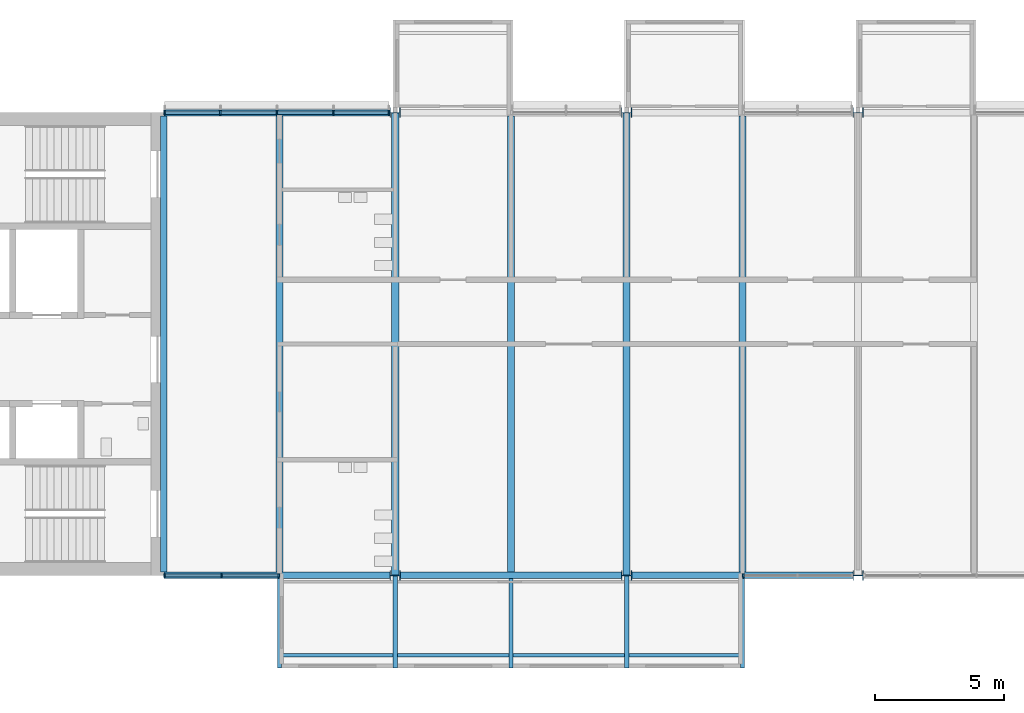
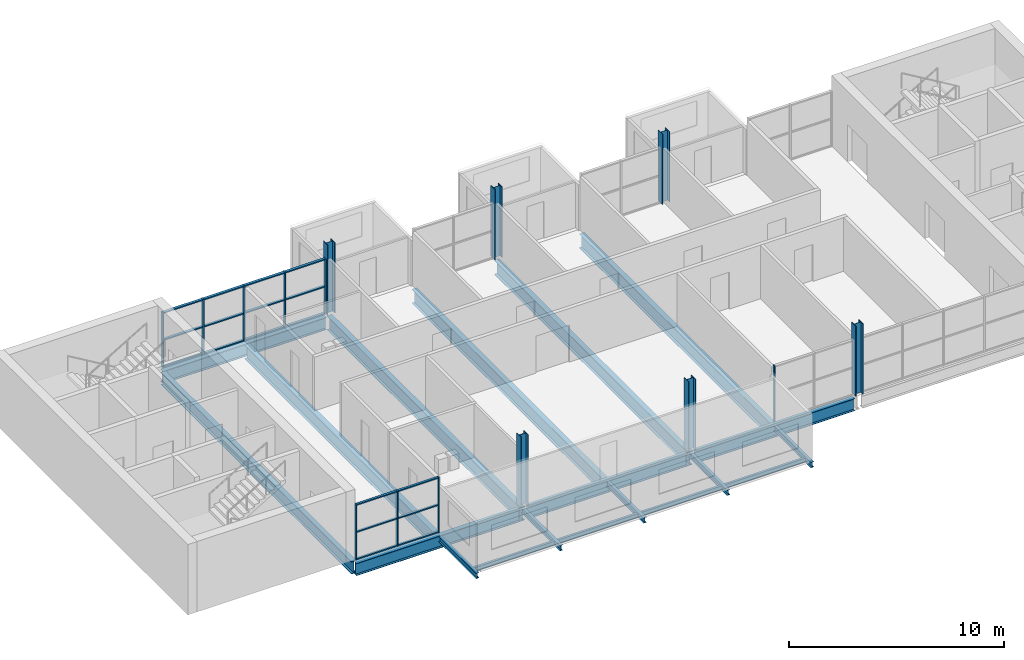
# One storey, part 1 of 11: 27 members, 19 beams, 6 columns, 3 elements without a shape of their own.
"""IFC4 building model written with IfcOpenShell, lengths in metres."""

from ifc_helpers import new_model, si_unit, direction, frame, origin, origin_2d, place, context, subcontext, project, spatial, rectangle, i_section, extrude, material, layer, layer_set, material_profile, profile_set, type_object, element, aggregate, save


model = new_model("IFC4")

# Units and contexts
model_context = context("Model", 3, precision=1e-05, world=origin(), true_north=direction((0.0, 1.0)))
body_context = subcontext(model_context, "Body", "Model", "MODEL_VIEW")
ifc_project = project(units=[si_unit("LENGTHUNIT", "METRE"), si_unit("AREAUNIT", "SQUARE_METRE"), si_unit("VOLUMEUNIT", "CUBIC_METRE"), si_unit("PLANEANGLEUNIT", "RADIAN"), si_unit("MASSUNIT", "GRAM", prefix="KILO")], contexts=[model_context])

# Site, building, storey
site_placement = place(None, origin())
site = spatial("IfcSite", under=ifc_project, at=site_placement, CompositionType="ELEMENT")
building_placement = place(site_placement, origin())
building = spatial("IfcBuilding", under=site, at=building_placement, Name="Corbel Yard City Hall", CompositionType="ELEMENT")
storey_placement = place(building_placement, frame((0.0, 0.0, 35.199951171875)))
storey = spatial("IfcBuildingStorey", under=building, at=storey_placement, Name="L08", CompositionType="ELEMENT", Elevation=35.199951171875)

# Columns
ifc_material_1 = material(Name="Steel Grade 350", Category="steel")
ifc_material_profile_1 = material_profile(ifc_material_1, i_section(OverallWidth=0.39990234375, OverallDepth=0.4140625, WebThickness=0.02490234375, FlangeThickness=0.031982421875, at=origin_2d()), Name="400WC270")
ifc_profile_set_1 = profile_set([ifc_material_profile_1], Name="Steel Grade 350")
column_type = type_object("IfcColumnType", Name="Column 400WC270", PredefinedType="COLUMN", material=ifc_profile_set_1)
for number, where, z_axis, x_axis, name in (
    (1, (18.0, 99.0, 0.0), (0.0, 0.0, 1.0), (0.0, 1.0, 0.0), "Column 400WC270 L/3 L08"),
    (2, (18.0, 117.0, 0.0), (0.0, 0.0, 1.0), (0.0, 1.0, 0.0), "Column 400WC270 N/3 L08"),
    (3, (27.0, 99.0, 0.0), (0.0, 0.0, 1.0), (0.0, 1.0, 0.0), "Column 400WC270 L/4 L08"),
    (4, (27.0, 117.0, 0.0), (0.0, 0.0, 1.0), (0.0, 1.0, 0.0), "Column 400WC270 N/4 L08"),
    (5, (36.0, 99.0, 0.0), (0.0, 0.0, 1.0), (0.0, 1.0, 0.0), "Column 400WC270 L/5 L08"),
    (6, (36.0, 117.0, 0.0), (0.0, 0.0, 1.0), (0.0, 1.0, 0.0), "Column 400WC270 N/5 L08"),
):
    element("IfcColumn", number, at=place(storey_placement, frame(where, z_axis=z_axis, x_axis=x_axis)), inside=storey, type_object=column_type, Name=name, PredefinedType="COLUMN", context=body_context, shape_type="SweptSolid", body=[
        extrude(i_section(OverallWidth=0.39990234375, OverallDepth=0.4140625, WebThickness=0.02490234375, FlangeThickness=0.031982421875, at=origin_2d()), origin(), (0.0, 0.0, 1.0), 4.0),
    ])

# Beams
ifc_material_profile_2 = material_profile(ifc_material_1, i_section(OverallWidth=0.25, OverallDepth=0.699951171875, WebThickness=0.010009765625, FlangeThickness=0.02001953125, at=origin_2d()), Name="700WB130")
ifc_profile_set_2 = profile_set([ifc_material_profile_2], Name="Steel Grade 350")
beam_type_1 = type_object("IfcBeamType", Name="Edge beam 700WB130", PredefinedType="BEAM", material=ifc_profile_set_2)
beam_1_placement = place(storey_placement, frame((9.0, 99.0, -0.5), z_axis=(1.0, 0.0, 0.0), x_axis=(0.0, 1.0, 0.0)))
element("IfcBeam", 7, at=beam_1_placement, inside=storey, type_object=beam_type_1, Name="Edge beam 700WB130 EB9 L08tower", PredefinedType="BEAM", context=body_context, shape_type="SweptSolid", body=[
    extrude(i_section(OverallWidth=0.25, OverallDepth=0.699951171875, WebThickness=0.010009765625, FlangeThickness=0.02001953125, at=origin_2d()), origin(), (0.0, 0.0, 1.0), 8.79296875),
])
for number, where, z_axis, x_axis, name in (
    (8, (18.20703125, 99.0, -0.5), (1.0, 0.0, 0.0), (0.0, 1.0, 0.0), "Edge beam 700WB130 EB9 L08tower"),
    (9, (27.20703125, 99.0, -0.5), (1.0, 0.0, 0.0), (0.0, 1.0, 0.0), "Edge beam 700WB130 EB9 L08tower"),
):
    element("IfcBeam", number, at=place(storey_placement, frame(where, z_axis=z_axis, x_axis=x_axis)), inside=storey, type_object=beam_type_1, Name=name, PredefinedType="BEAM", context=body_context, shape_type="SweptSolid", body=[
        extrude(i_section(OverallWidth=0.25, OverallDepth=0.699951171875, WebThickness=0.010009765625, FlangeThickness=0.02001953125, at=origin_2d()), origin(), (0.0, 0.0, 1.0), 8.5859375),
    ])
beam_2_placement = place(storey_placement, frame((9.0, 117.0, -0.5), z_axis=(1.0, 0.0, 0.0), x_axis=(0.0, 1.0, 0.0)))
element("IfcBeam", 10, at=beam_2_placement, inside=storey, type_object=beam_type_1, Name="Edge beam 700WB130 EB9 L08tower", PredefinedType="BEAM", context=body_context, shape_type="SweptSolid", body=[
    extrude(i_section(OverallWidth=0.25, OverallDepth=0.699951171875, WebThickness=0.010009765625, FlangeThickness=0.02001953125, at=origin_2d()), origin(), (0.0, 0.0, 1.0), 8.79296875),
])
ifc_material_profile_3 = material_profile(ifc_material_1, i_section(OverallWidth=0.27490234375, OverallDepth=0.800048828125, WebThickness=0.010009765625, FlangeThickness=0.02001953125, at=origin_2d()), Name="800WB146")
ifc_profile_set_3 = profile_set([ifc_material_profile_3], Name="Steel Grade 350")
beam_type_2 = type_object("IfcBeamType", Name="Long-span beam 800WB146", PredefinedType="BEAM", material=ifc_profile_set_3)
for number, where, z_axis, x_axis, name in (
    (11, (18.0, 99.012451171875, -0.550048828125), (0.0, 1.0, 0.0), (-1.0, 0.0, 0.0), "Long-span beam 800WB146 SB8 L08tower"),
    (12, (27.0, 99.012451171875, -0.550048828125), (0.0, 1.0, 0.0), (-1.0, 0.0, 0.0), "Long-span beam 800WB146 SB8 L08tower"),
):
    element("IfcBeam", number, at=place(storey_placement, frame(where, z_axis=z_axis, x_axis=x_axis)), inside=storey, type_object=beam_type_2, Name=name, PredefinedType="BEAM", context=body_context, shape_type="SweptSolid", body=[
        extrude(i_section(OverallWidth=0.27490234375, OverallDepth=0.800048828125, WebThickness=0.010009765625, FlangeThickness=0.02001953125, at=origin_2d()), origin(), (0.0, 0.0, 1.0), 17.97509765625),
    ])
ifc_material_profile_4 = material_profile(ifc_material_1, i_section(OverallWidth=0.25, OverallDepth=0.7099609375, WebThickness=0.010009765625, FlangeThickness=0.02490234375, at=origin_2d()), Name="700WB150")
ifc_profile_set_4 = profile_set([ifc_material_profile_4], Name="Steel Grade 350")
beam_type_3 = type_object("IfcBeamType", Name="Long-span edge beam 700WB150", PredefinedType="BEAM", material=ifc_profile_set_4)
beam_3_placement = place(storey_placement, frame((9.0, 99.125, -0.5048828125), z_axis=(0.0, 1.0, 0.0), x_axis=(-1.0, 0.0, 0.0)))
element("IfcBeam", 13, at=beam_3_placement, inside=storey, type_object=beam_type_3, Name="Long-span edge beam 700WB150 EB8 L08tower", PredefinedType="BEAM", context=body_context, shape_type="SweptSolid", body=[
    extrude(i_section(OverallWidth=0.25, OverallDepth=0.7099609375, WebThickness=0.010009765625, FlangeThickness=0.02490234375, at=origin_2d()), origin(), (0.0, 0.0, 1.0), 17.75),
])
ifc_material_profile_5 = material_profile(ifc_material_1, i_section(OverallWidth=0.27490234375, OverallDepth=0.800048828125, WebThickness=0.010009765625, FlangeThickness=0.02001953125, at=origin_2d()), Name="800WB146")
ifc_profile_set_5 = profile_set([ifc_material_profile_5], Name="Steel Grade 350")
beam_type_4 = type_object("IfcBeamType", Name="Long-span secondary beam 800WB146", PredefinedType="JOIST", material=ifc_profile_set_5)
for number, where, z_axis, x_axis, name in (
    (14, (13.5, 99.125, -0.550048828125), (0.0, 1.0, 0.0), (-1.0, 0.0, 0.0), "Long-span secondary beam 800WB146 SB7 L08tower"),
    (15, (22.5, 99.125, -0.550048828125), (0.0, 1.0, 0.0), (-1.0, 0.0, 0.0), "Long-span secondary beam 800WB146 SB7 L08tower"),
    (16, (31.5, 99.125, -0.550048828125), (0.0, 1.0, 0.0), (-1.0, 0.0, 0.0), "Long-span secondary beam 800WB146 SB7 L08tower"),
):
    element("IfcBeam", number, at=place(storey_placement, frame(where, z_axis=z_axis, x_axis=x_axis)), inside=storey, type_object=beam_type_4, Name=name, PredefinedType="JOIST", context=body_context, shape_type="SweptSolid", body=[
        extrude(i_section(OverallWidth=0.27490234375, OverallDepth=0.800048828125, WebThickness=0.010009765625, FlangeThickness=0.02001953125, at=origin_2d()), origin(), (0.0, 0.0, 1.0), 17.75),
    ])

# Curtain wall, members
ifc_material_2 = material(Name="Aluminium extrusion", Category="aluminium")
ifc_layer_1 = layer(ifc_material_2, 0.14990234375)
ifc_layer_set_1 = layer_set([ifc_layer_1], Name="Aluminium extrusion")
curtain_wall_type_1 = type_object("IfcCurtainWallType", Name="CW2", PredefinedType="USERDEFINED", material=ifc_layer_set_1)
curtain_wall_1_placement = place(storey_placement, origin())
curtain_wall_1 = element("IfcCurtainWall", 17, at=curtain_wall_1_placement, inside=storey, type_object=curtain_wall_type_1, Name="Curtain wall CW2 L08", ObjectType="CURTAIN WALL", PredefinedType="USERDEFINED")
ifc_material_profile_6 = material_profile(ifc_material_2, rectangle(XDim=0.14990234375, YDim=0.06494140625, at=origin_2d()), Name="150x65")
ifc_profile_set_6 = profile_set([ifc_material_profile_6], Name="Aluminium extrusion")
member_type_1 = type_object("IfcMemberType", Name="ML2", PredefinedType="MULLION", material=ifc_profile_set_6)
member_1_placement = place(storey_placement, frame((9.032470703125, 99.0, 0.0), z_axis=(0.0, 0.0, 1.0), x_axis=(0.0, 1.0, 0.0)))
member_1 = element("IfcMember", 18, at=member_1_placement, type_object=member_type_1, Name="CW2 mullion 1", PredefinedType="MULLION", context=body_context, shape_type="SweptSolid", body=[
    extrude(rectangle(XDim=0.14990234375, YDim=0.06494140625, at=origin_2d()), origin(), (0.0, 0.0, 1.0), 3.150146484375),
])
member_2_placement = place(storey_placement, frame((11.25, 99.0, 0.0), z_axis=(0.0, 0.0, 1.0), x_axis=(0.0, 1.0, 0.0)))
member_2 = element("IfcMember", 19, at=member_2_placement, type_object=member_type_1, Name="CW2 mullion 2", PredefinedType="MULLION", context=body_context, shape_type="SweptSolid", body=[
    extrude(rectangle(XDim=0.14990234375, YDim=0.06494140625, at=origin_2d()), origin(), (0.0, 0.0, 1.0), 3.150146484375),
])
member_3_placement = place(storey_placement, frame((13.467529296875, 99.0, 0.0), z_axis=(0.0, 0.0, 1.0), x_axis=(0.0, 1.0, 0.0)))
member_3 = element("IfcMember", 20, at=member_3_placement, type_object=member_type_1, Name="CW2 mullion 3", PredefinedType="MULLION", context=body_context, shape_type="SweptSolid", body=[
    extrude(rectangle(XDim=0.14990234375, YDim=0.06494140625, at=origin_2d()), origin(), (0.0, 0.0, 1.0), 3.150146484375),
])

# Curtain wall, member
curtain_wall_2_placement = place(storey_placement, origin())
curtain_wall_2 = element("IfcCurtainWall", 21, at=curtain_wall_2_placement, inside=storey, type_object=curtain_wall_type_1, Name="Curtain wall CW2 L08", ObjectType="CURTAIN WALL", PredefinedType="USERDEFINED")
member_4_placement = place(storey_placement, frame((31.532470703125, 99.0, 0.0), z_axis=(0.0, 0.0, 1.0), x_axis=(0.0, 1.0, 0.0)))
member_4 = element("IfcMember", 22, at=member_4_placement, type_object=member_type_1, Name="CW2 mullion 1", PredefinedType="MULLION", context=body_context, shape_type="SweptSolid", body=[
    extrude(rectangle(XDim=0.14990234375, YDim=0.06494140625, at=origin_2d()), origin(), (0.0, 0.0, 1.0), 3.150146484375),
])
aggregate(curtain_wall_2, [member_4])

# Curtain wall, members
ifc_layer_2 = layer(ifc_material_2, 0.179931640625)
ifc_layer_set_2 = layer_set([ifc_layer_2], Name="Aluminium extrusion")
curtain_wall_type_2 = type_object("IfcCurtainWallType", Name="CW6", PredefinedType="USERDEFINED", material=ifc_layer_set_2)
curtain_wall_3_placement = place(storey_placement, origin())
curtain_wall_3 = element("IfcCurtainWall", 23, at=curtain_wall_3_placement, inside=storey, type_object=curtain_wall_type_2, Name="Curtain wall CW6 L08", ObjectType="CURTAIN WALL", PredefinedType="USERDEFINED")
ifc_material_profile_7 = material_profile(ifc_material_2, rectangle(XDim=0.179931640625, YDim=0.06494140625, at=origin_2d()), Name="180x65")
ifc_profile_set_7 = profile_set([ifc_material_profile_7], Name="Aluminium extrusion")
member_type_2 = type_object("IfcMemberType", Name="ML6", PredefinedType="MULLION", material=ifc_profile_set_7)
member_5_placement = place(storey_placement, frame((9.032470703125, 117.0, 0.0), z_axis=(0.0, 0.0, 1.0), x_axis=(0.0, 1.0, 0.0)))
member_5 = element("IfcMember", 24, at=member_5_placement, type_object=member_type_2, Name="CW6 mullion 1", PredefinedType="MULLION", context=body_context, shape_type="SweptSolid", body=[
    extrude(rectangle(XDim=0.179931640625, YDim=0.06494140625, at=origin_2d()), origin(), (0.0, 0.0, 1.0), 3.150146484375),
])
member_6_placement = place(storey_placement, frame((11.1982421875, 117.0, 0.0), z_axis=(0.0, 0.0, 1.0), x_axis=(0.0, 1.0, 0.0)))
member_6 = element("IfcMember", 25, at=member_6_placement, type_object=member_type_2, Name="CW6 mullion 2", PredefinedType="MULLION", context=body_context, shape_type="SweptSolid", body=[
    extrude(rectangle(XDim=0.179931640625, YDim=0.06494140625, at=origin_2d()), origin(), (0.0, 0.0, 1.0), 3.150146484375),
])
member_7_placement = place(storey_placement, frame((13.396484375, 117.0, 0.0), z_axis=(0.0, 0.0, 1.0), x_axis=(0.0, 1.0, 0.0)))
member_7 = element("IfcMember", 26, at=member_7_placement, type_object=member_type_2, Name="CW6 mullion 3", PredefinedType="MULLION", context=body_context, shape_type="SweptSolid", body=[
    extrude(rectangle(XDim=0.179931640625, YDim=0.06494140625, at=origin_2d()), origin(), (0.0, 0.0, 1.0), 3.150146484375),
])
member_8_placement = place(storey_placement, frame((15.5947265625, 117.0, 0.0), z_axis=(0.0, 0.0, 1.0), x_axis=(0.0, 1.0, 0.0)))
member_8 = element("IfcMember", 27, at=member_8_placement, type_object=member_type_2, Name="CW6 mullion 4", PredefinedType="MULLION", context=body_context, shape_type="SweptSolid", body=[
    extrude(rectangle(XDim=0.179931640625, YDim=0.06494140625, at=origin_2d()), origin(), (0.0, 0.0, 1.0), 3.150146484375),
])
member_9_placement = place(storey_placement, frame((17.760498046875, 117.0, 0.0), z_axis=(0.0, 0.0, 1.0), x_axis=(0.0, 1.0, 0.0)))
member_9 = element("IfcMember", 28, at=member_9_placement, type_object=member_type_2, Name="CW6 mullion 5", PredefinedType="MULLION", context=body_context, shape_type="SweptSolid", body=[
    extrude(rectangle(XDim=0.179931640625, YDim=0.06494140625, at=origin_2d()), origin(), (0.0, 0.0, 1.0), 3.150146484375),
])

# Beams
ifc_material_3 = material(Name="Steel Grade 300 (300 MPa yield)", Category="steel")
ifc_material_profile_8 = material_profile(ifc_material_3, i_section(OverallWidth=0.166015625, OverallDepth=0.306884765625, WebThickness=0.006591796875, FlangeThickness=0.01171875, at=origin_2d()), Name="310UB46.2")
ifc_profile_set_8 = profile_set([ifc_material_profile_8], Name="Steel Grade 300 (300 MPa yield)")
beam_type_5 = type_object("IfcBeamType", Name="Pod stub beam 310UB46.2", PredefinedType="BEAM", material=ifc_profile_set_8)
beam_4_placement = place(storey_placement, frame((13.5, 95.39990234375, -0.303466796875), z_axis=(0.0, 1.0, 0.0), x_axis=(-1.0, 0.0, 0.0)))
element("IfcBeam", 29, at=beam_4_placement, inside=storey, type_object=beam_type_5, Name="Pod stub 310UB46.2 CB1 L08", PredefinedType="BEAM", context=body_context, shape_type="SweptSolid", body=[
    extrude(i_section(OverallWidth=0.166015625, OverallDepth=0.306884765625, WebThickness=0.006591796875, FlangeThickness=0.01171875, at=origin_2d()), origin(), (0.0, 0.0, 1.0), 3.47509765625),
])
beam_5_placement = place(storey_placement, frame((18.0, 95.39990234375, -0.303466796875), z_axis=(0.0, 1.0, 0.0), x_axis=(-1.0, 0.0, 0.0)))
element("IfcBeam", 30, at=beam_5_placement, inside=storey, type_object=beam_type_5, Name="Pod stub 310UB46.2 CB1 L08", PredefinedType="BEAM", context=body_context, shape_type="SweptSolid", body=[
    extrude(i_section(OverallWidth=0.166015625, OverallDepth=0.306884765625, WebThickness=0.006591796875, FlangeThickness=0.01171875, at=origin_2d()), origin(), (0.0, 0.0, 1.0), 3.587646484375),
])
beam_6_placement = place(storey_placement, frame((22.5, 95.39990234375, -0.303466796875), z_axis=(0.0, 1.0, 0.0), x_axis=(-1.0, 0.0, 0.0)))
element("IfcBeam", 31, at=beam_6_placement, inside=storey, type_object=beam_type_5, Name="Pod stub 310UB46.2 CB1 L08", PredefinedType="BEAM", context=body_context, shape_type="SweptSolid", body=[
    extrude(i_section(OverallWidth=0.166015625, OverallDepth=0.306884765625, WebThickness=0.006591796875, FlangeThickness=0.01171875, at=origin_2d()), origin(), (0.0, 0.0, 1.0), 3.47509765625),
])
beam_7_placement = place(storey_placement, frame((27.0, 95.39990234375, -0.303466796875), z_axis=(0.0, 1.0, 0.0), x_axis=(-1.0, 0.0, 0.0)))
element("IfcBeam", 32, at=beam_7_placement, inside=storey, type_object=beam_type_5, Name="Pod stub 310UB46.2 CB1 L08", PredefinedType="BEAM", context=body_context, shape_type="SweptSolid", body=[
    extrude(i_section(OverallWidth=0.166015625, OverallDepth=0.306884765625, WebThickness=0.006591796875, FlangeThickness=0.01171875, at=origin_2d()), origin(), (0.0, 0.0, 1.0), 3.587646484375),
])
beam_8_placement = place(storey_placement, frame((31.5, 95.39990234375, -0.303466796875), z_axis=(0.0, 1.0, 0.0), x_axis=(-1.0, 0.0, 0.0)))
element("IfcBeam", 33, at=beam_8_placement, inside=storey, type_object=beam_type_5, Name="Pod stub 310UB46.2 CB1 L08", PredefinedType="BEAM", context=body_context, shape_type="SweptSolid", body=[
    extrude(i_section(OverallWidth=0.166015625, OverallDepth=0.306884765625, WebThickness=0.006591796875, FlangeThickness=0.01171875, at=origin_2d()), origin(), (0.0, 0.0, 1.0), 3.47509765625),
])
ifc_material_profile_9 = material_profile(ifc_material_3, i_section(OverallWidth=0.1240234375, OverallDepth=0.248046875, WebThickness=0.0048828125, FlangeThickness=0.008056640625, at=origin_2d()), Name="250UB25.7")
ifc_profile_set_9 = profile_set([ifc_material_profile_9], Name="Steel Grade 300 (300 MPa yield)")
beam_type_6 = type_object("IfcBeamType", Name="Pod tip beam", PredefinedType="BEAM", material=ifc_profile_set_9)
for number, where, z_axis, x_axis, name in (
    (34, (13.5830078125, 95.89990234375, -0.27392578125), (1.0, 0.0, 0.0), (0.0, 1.0, 0.0), "Pod tip beam"),
    (35, (18.0830078125, 95.89990234375, -0.27392578125), (1.0, 0.0, 0.0), (0.0, 1.0, 0.0), "Pod tip beam"),
    (36, (22.5830078125, 95.89990234375, -0.27392578125), (1.0, 0.0, 0.0), (0.0, 1.0, 0.0), "Pod tip beam"),
    (37, (27.0830078125, 95.89990234375, -0.27392578125), (1.0, 0.0, 0.0), (0.0, 1.0, 0.0), "Pod tip beam"),
):
    element("IfcBeam", number, at=place(storey_placement, frame(where, z_axis=z_axis, x_axis=x_axis)), inside=storey, type_object=beam_type_6, Name=name, PredefinedType="BEAM", context=body_context, shape_type="SweptSolid", body=[
        extrude(i_section(OverallWidth=0.1240234375, OverallDepth=0.248046875, WebThickness=0.0048828125, FlangeThickness=0.008056640625, at=origin_2d()), origin(), (0.0, 0.0, 1.0), 4.333984375),
    ])

# Member
ifc_material_profile_10 = material_profile(ifc_material_2, rectangle(XDim=0.1201171875, YDim=0.06494140625, at=origin_2d()), Name="120x65")
ifc_profile_set_10 = profile_set([ifc_material_profile_10], Name="Aluminium extrusion")
member_type_3 = type_object("IfcMemberType", Name="TR2", PredefinedType="USERDEFINED", material=ifc_profile_set_10)
member_10_placement = place(storey_placement, frame((9.06494140625, 99.0, 0.032470703125), z_axis=(1.0, 0.0, 0.0), x_axis=(0.0, 1.0, 0.0)))
member_10 = element("IfcMember", 38, at=member_10_placement, type_object=member_type_3, Name="CW2 transom 1.1", ObjectType="TRANSOM", PredefinedType="USERDEFINED", context=body_context, shape_type="SweptSolid", body=[
    extrude(rectangle(XDim=0.1201171875, YDim=0.06494140625, at=origin_2d()), origin(), (0.0, 0.0, 1.0), 2.152587890625),
])

member_11_placement = place(storey_placement, frame((9.06494140625, 99.0, 1.574951171875), z_axis=(1.0, 0.0, 0.0), x_axis=(0.0, 1.0, 0.0)))
member_11 = element("IfcMember", 39, at=member_11_placement, type_object=member_type_3, Name="CW2 transom 1.2", ObjectType="TRANSOM", PredefinedType="USERDEFINED", context=body_context, shape_type="SweptSolid", body=[
    extrude(rectangle(XDim=0.1201171875, YDim=0.06494140625, at=origin_2d()), origin(), (0.0, 0.0, 1.0), 2.152587890625),
])

member_12_placement = place(storey_placement, frame((9.06494140625, 99.0, 3.117431640625), z_axis=(1.0, 0.0, 0.0), x_axis=(0.0, 1.0, 0.0)))
member_12 = element("IfcMember", 40, at=member_12_placement, type_object=member_type_3, Name="CW2 transom 1.3", ObjectType="TRANSOM", PredefinedType="USERDEFINED", context=body_context, shape_type="SweptSolid", body=[
    extrude(rectangle(XDim=0.1201171875, YDim=0.06494140625, at=origin_2d()), origin(), (0.0, 0.0, 1.0), 2.152587890625),
])

member_13_placement = place(storey_placement, frame((11.282470703125, 99.0, 0.032470703125), z_axis=(1.0, 0.0, 0.0), x_axis=(0.0, 1.0, 0.0)))
member_13 = element("IfcMember", 41, at=member_13_placement, type_object=member_type_3, Name="CW2 transom 2.1", ObjectType="TRANSOM", PredefinedType="USERDEFINED", context=body_context, shape_type="SweptSolid", body=[
    extrude(rectangle(XDim=0.1201171875, YDim=0.06494140625, at=origin_2d()), origin(), (0.0, 0.0, 1.0), 2.152587890625),
])

member_14_placement = place(storey_placement, frame((11.282470703125, 99.0, 1.574951171875), z_axis=(1.0, 0.0, 0.0), x_axis=(0.0, 1.0, 0.0)))
member_14 = element("IfcMember", 42, at=member_14_placement, type_object=member_type_3, Name="CW2 transom 2.2", ObjectType="TRANSOM", PredefinedType="USERDEFINED", context=body_context, shape_type="SweptSolid", body=[
    extrude(rectangle(XDim=0.1201171875, YDim=0.06494140625, at=origin_2d()), origin(), (0.0, 0.0, 1.0), 2.152587890625),
])

member_15_placement = place(storey_placement, frame((11.282470703125, 99.0, 3.117431640625), z_axis=(1.0, 0.0, 0.0), x_axis=(0.0, 1.0, 0.0)))
member_15 = element("IfcMember", 43, at=member_15_placement, type_object=member_type_3, Name="CW2 transom 2.3", ObjectType="TRANSOM", PredefinedType="USERDEFINED", context=body_context, shape_type="SweptSolid", body=[
    extrude(rectangle(XDim=0.1201171875, YDim=0.06494140625, at=origin_2d()), origin(), (0.0, 0.0, 1.0), 2.152587890625),
])

aggregate(curtain_wall_1, [member_1, member_2, member_3, member_10, member_11, member_12, member_13, member_14, member_15])

ifc_material_profile_11 = material_profile(ifc_material_2, rectangle(XDim=0.139892578125, YDim=0.06494140625, at=origin_2d()), Name="140x65")
ifc_profile_set_11 = profile_set([ifc_material_profile_11], Name="Aluminium extrusion")
member_type_4 = type_object("IfcMemberType", Name="TR6", PredefinedType="USERDEFINED", material=ifc_profile_set_11)
member_16_placement = place(storey_placement, frame((9.06494140625, 117.0, 0.032470703125), z_axis=(1.0, 0.0, 0.0), x_axis=(0.0, 1.0, 0.0)))
member_16 = element("IfcMember", 44, at=member_16_placement, type_object=member_type_4, Name="CW6 transom 1.1", ObjectType="TRANSOM", PredefinedType="USERDEFINED", context=body_context, shape_type="SweptSolid", body=[
    extrude(rectangle(XDim=0.139892578125, YDim=0.06494140625, at=origin_2d()), origin(), (0.0, 0.0, 1.0), 2.100830078125),
])

member_17_placement = place(storey_placement, frame((9.06494140625, 117.0, 1.574951171875), z_axis=(1.0, 0.0, 0.0), x_axis=(0.0, 1.0, 0.0)))
member_17 = element("IfcMember", 45, at=member_17_placement, type_object=member_type_4, Name="CW6 transom 1.2", ObjectType="TRANSOM", PredefinedType="USERDEFINED", context=body_context, shape_type="SweptSolid", body=[
    extrude(rectangle(XDim=0.139892578125, YDim=0.06494140625, at=origin_2d()), origin(), (0.0, 0.0, 1.0), 2.100830078125),
])

member_18_placement = place(storey_placement, frame((9.06494140625, 117.0, 3.117431640625), z_axis=(1.0, 0.0, 0.0), x_axis=(0.0, 1.0, 0.0)))
member_18 = element("IfcMember", 46, at=member_18_placement, type_object=member_type_4, Name="CW6 transom 1.3", ObjectType="TRANSOM", PredefinedType="USERDEFINED", context=body_context, shape_type="SweptSolid", body=[
    extrude(rectangle(XDim=0.139892578125, YDim=0.06494140625, at=origin_2d()), origin(), (0.0, 0.0, 1.0), 2.100830078125),
])

member_19_placement = place(storey_placement, frame((11.230712890625, 117.0, 0.032470703125), z_axis=(1.0, 0.0, 0.0), x_axis=(0.0, 1.0, 0.0)))
member_19 = element("IfcMember", 47, at=member_19_placement, type_object=member_type_4, Name="CW6 transom 2.1", ObjectType="TRANSOM", PredefinedType="USERDEFINED", context=body_context, shape_type="SweptSolid", body=[
    extrude(rectangle(XDim=0.139892578125, YDim=0.06494140625, at=origin_2d()), origin(), (0.0, 0.0, 1.0), 2.13330078125),
])

member_20_placement = place(storey_placement, frame((11.230712890625, 117.0, 1.574951171875), z_axis=(1.0, 0.0, 0.0), x_axis=(0.0, 1.0, 0.0)))
member_20 = element("IfcMember", 48, at=member_20_placement, type_object=member_type_4, Name="CW6 transom 2.2", ObjectType="TRANSOM", PredefinedType="USERDEFINED", context=body_context, shape_type="SweptSolid", body=[
    extrude(rectangle(XDim=0.139892578125, YDim=0.06494140625, at=origin_2d()), origin(), (0.0, 0.0, 1.0), 2.13330078125),
])

member_21_placement = place(storey_placement, frame((11.230712890625, 117.0, 3.117431640625), z_axis=(1.0, 0.0, 0.0), x_axis=(0.0, 1.0, 0.0)))
member_21 = element("IfcMember", 49, at=member_21_placement, type_object=member_type_4, Name="CW6 transom 2.3", ObjectType="TRANSOM", PredefinedType="USERDEFINED", context=body_context, shape_type="SweptSolid", body=[
    extrude(rectangle(XDim=0.139892578125, YDim=0.06494140625, at=origin_2d()), origin(), (0.0, 0.0, 1.0), 2.13330078125),
])

member_22_placement = place(storey_placement, frame((13.428955078125, 117.0, 0.032470703125), z_axis=(1.0, 0.0, 0.0), x_axis=(0.0, 1.0, 0.0)))
member_22 = element("IfcMember", 50, at=member_22_placement, type_object=member_type_4, Name="CW6 transom 3.1", ObjectType="TRANSOM", PredefinedType="USERDEFINED", context=body_context, shape_type="SweptSolid", body=[
    extrude(rectangle(XDim=0.139892578125, YDim=0.06494140625, at=origin_2d()), origin(), (0.0, 0.0, 1.0), 2.13330078125),
])

member_23_placement = place(storey_placement, frame((13.428955078125, 117.0, 1.574951171875), z_axis=(1.0, 0.0, 0.0), x_axis=(0.0, 1.0, 0.0)))
member_23 = element("IfcMember", 51, at=member_23_placement, type_object=member_type_4, Name="CW6 transom 3.2", ObjectType="TRANSOM", PredefinedType="USERDEFINED", context=body_context, shape_type="SweptSolid", body=[
    extrude(rectangle(XDim=0.139892578125, YDim=0.06494140625, at=origin_2d()), origin(), (0.0, 0.0, 1.0), 2.13330078125),
])

member_24_placement = place(storey_placement, frame((13.428955078125, 117.0, 3.117431640625), z_axis=(1.0, 0.0, 0.0), x_axis=(0.0, 1.0, 0.0)))
member_24 = element("IfcMember", 52, at=member_24_placement, type_object=member_type_4, Name="CW6 transom 3.3", ObjectType="TRANSOM", PredefinedType="USERDEFINED", context=body_context, shape_type="SweptSolid", body=[
    extrude(rectangle(XDim=0.139892578125, YDim=0.06494140625, at=origin_2d()), origin(), (0.0, 0.0, 1.0), 2.13330078125),
])

member_25_placement = place(storey_placement, frame((15.627197265625, 117.0, 0.032470703125), z_axis=(1.0, 0.0, 0.0), x_axis=(0.0, 1.0, 0.0)))
member_25 = element("IfcMember", 53, at=member_25_placement, type_object=member_type_4, Name="CW6 transom 4.1", ObjectType="TRANSOM", PredefinedType="USERDEFINED", context=body_context, shape_type="SweptSolid", body=[
    extrude(rectangle(XDim=0.139892578125, YDim=0.06494140625, at=origin_2d()), origin(), (0.0, 0.0, 1.0), 2.100830078125),
])

member_26_placement = place(storey_placement, frame((15.627197265625, 117.0, 1.574951171875), z_axis=(1.0, 0.0, 0.0), x_axis=(0.0, 1.0, 0.0)))
member_26 = element("IfcMember", 54, at=member_26_placement, type_object=member_type_4, Name="CW6 transom 4.2", ObjectType="TRANSOM", PredefinedType="USERDEFINED", context=body_context, shape_type="SweptSolid", body=[
    extrude(rectangle(XDim=0.139892578125, YDim=0.06494140625, at=origin_2d()), origin(), (0.0, 0.0, 1.0), 2.100830078125),
])

member_27_placement = place(storey_placement, frame((15.627197265625, 117.0, 3.117431640625), z_axis=(1.0, 0.0, 0.0), x_axis=(0.0, 1.0, 0.0)))
member_27 = element("IfcMember", 55, at=member_27_placement, type_object=member_type_4, Name="CW6 transom 4.3", ObjectType="TRANSOM", PredefinedType="USERDEFINED", context=body_context, shape_type="SweptSolid", body=[
    extrude(rectangle(XDim=0.139892578125, YDim=0.06494140625, at=origin_2d()), origin(), (0.0, 0.0, 1.0), 2.100830078125),
])

aggregate(curtain_wall_3, [member_5, member_6, member_7, member_8, member_9, member_16, member_17, member_18, member_19, member_20, member_21, member_22, member_23, member_24, member_25, member_26, member_27])

save(model, "model.ifc")
